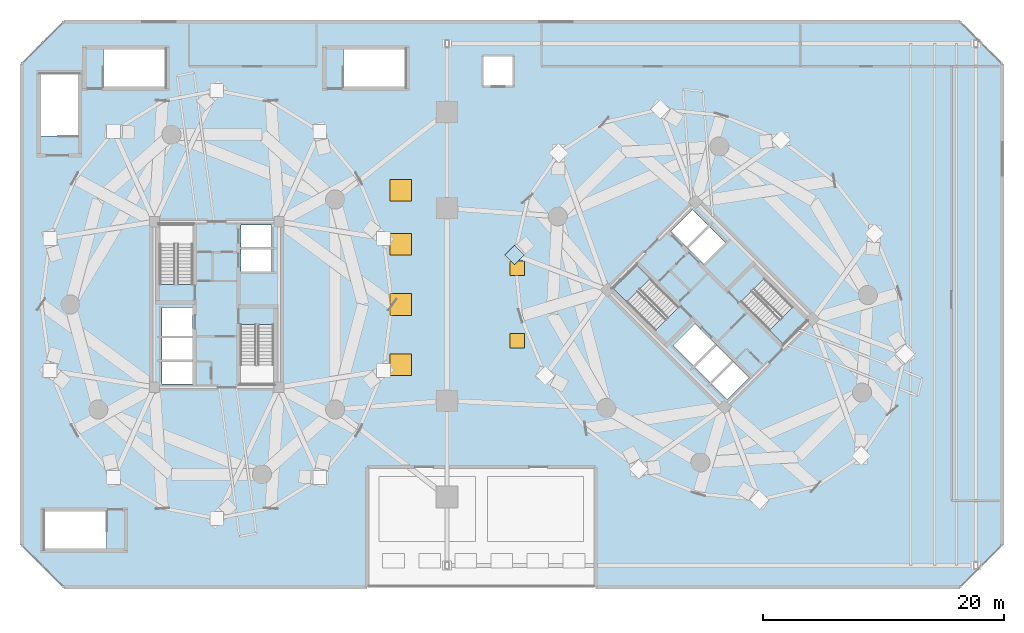
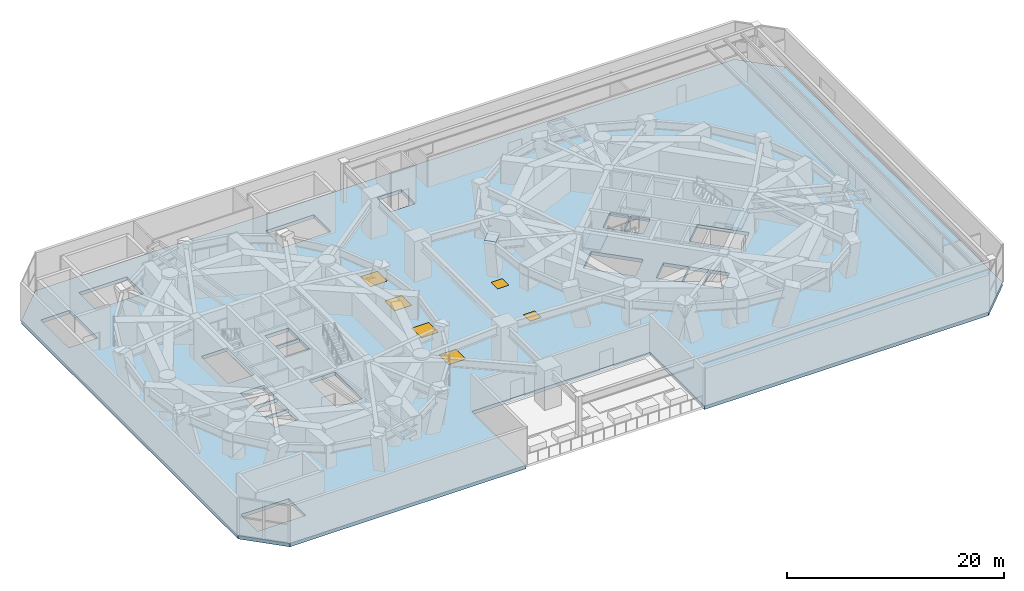
# One storey, part 14 of 25: 6 windows, 3 slabs, 1 plate, 6 openings, 2 elements without a shape of their own.
"""IFC4 building model written with IfcOpenShell, lengths in metres."""

from ifc_helpers import new_model, si_unit, direction, frame, origin, origin_2d, place, context, subcontext, project, spatial, polyline, rectangle, outline, extrude, source, transform, mapped, material, layer, layer_set, type_object, element, fill, aggregate, save


model = new_model("IFC4")

# Units and contexts
model_context = context("Model", 3, precision=1e-05, world=origin(), true_north=direction((0.0, 1.0)))
body_context = subcontext(model_context, "Body", "Model", "MODEL_VIEW")
ifc_project = project(units=[si_unit("LENGTHUNIT", "METRE"), si_unit("AREAUNIT", "SQUARE_METRE"), si_unit("VOLUMEUNIT", "CUBIC_METRE"), si_unit("PLANEANGLEUNIT", "RADIAN"), si_unit("MASSUNIT", "GRAM", prefix="KILO")], contexts=[model_context])

# Site, building, storey
site_placement = place(None, origin())
site = spatial("IfcSite", under=ifc_project, at=site_placement, CompositionType="ELEMENT")
building_placement = place(site_placement, origin())
building = spatial("IfcBuilding", under=site, at=building_placement, Name="Cununo Teusaquillo Station Towers", CompositionType="ELEMENT")
storey_placement = place(building_placement, frame((0.0, 0.0, 17.39990234375)))
storey = spatial("IfcBuildingStorey", under=building, at=storey_placement, Name="L04", CompositionType="ELEMENT", Elevation=17.39990234375)

# Slab, openings, windows
ifc_material_1 = material(Name="Concrete C60/75", Category="concrete")
ifc_layer_1 = layer(ifc_material_1, 0.385009765625)
ifc_layer_set_1 = layer_set([ifc_layer_1], Name="Concrete C60/75")
slab_type_1 = type_object("IfcSlabType", Name="SLB-POD-380", PredefinedType="FLOOR", material=ifc_layer_set_1)
slab_1_placement = place(storey_placement, frame((0.0, 0.0, -0.385009765625)))
slab_1 = element("IfcSlab", 1, at=slab_1_placement, inside=storey, type_object=slab_type_1, Name="L04 Podium Transfer Structural Slab", PredefinedType="FLOOR", context=body_context, shape_type="SweptSolid", body=[
    extrude(outline(polyline([(3.800048828125, 1.0), (0.300048828125, 4.5), (0.300048828125, 44.5), (3.800048828125, 48.0), (78.300048828125, 48.0), (81.800048828125, 44.5), (81.800048828125, 4.5), (78.300048828125, 1.0), (48.0, 1.0), (48.0, 11.0), (29.0, 11.0), (29.0, 1.0), (3.800048828125, 1.0)]), holes=[polyline([(14.52001953125, 26.176025390625), (14.52001953125, 31.159912109375), (11.760009765625, 31.159912109375), (11.760009765625, 26.176025390625), (14.52001953125, 26.176025390625)]), polyline([(18.47998046875, 22.823974609375), (18.47998046875, 17.840087890625), (21.239990234375, 17.840087890625), (21.239990234375, 22.823974609375), (18.47998046875, 22.823974609375)]), polyline([(54.914794921875, 24.28515625), (51.390625, 27.809326171875), (49.43896484375, 25.857666015625), (52.963134765625, 22.33349609375), (54.914794921875, 24.28515625)]), polyline([(60.085205078125, 24.71484375), (63.609375, 21.190673828125), (65.56103515625, 23.142333984375), (62.036865234375, 26.66650390625), (60.085205078125, 24.71484375)]), polyline([(27.055908203125, 42.60009765625), (32.199951171875, 42.60009765625), (32.199951171875, 45.699951171875), (27.055908203125, 45.699951171875), (27.055908203125, 42.60009765625)]), polyline([(7.343994140625, 7.300048828125), (2.199951171875, 7.300048828125), (2.199951171875, 4.199951171875), (7.343994140625, 4.199951171875), (7.343994140625, 7.300048828125)]), polyline([(4.97998046875, 38.506103515625), (4.97998046875, 43.64990234375), (1.8798828125, 43.64990234375), (1.8798828125, 38.506103515625), (4.97998046875, 38.506103515625)]), polyline([(7.10595703125, 42.60009765625), (12.25, 42.60009765625), (12.25, 45.699951171875), (7.10595703125, 45.699951171875), (7.10595703125, 42.60009765625)]), polyline([(11.949951171875, 21.85009765625), (14.47998046875, 21.85009765625), (14.47998046875, 24.25), (11.949951171875, 24.25), (11.949951171875, 21.85009765625)]), polyline([(11.949951171875, 17.89990234375), (14.47998046875, 17.89990234375), (14.47998046875, 19.75), (11.949951171875, 19.75), (11.949951171875, 17.89990234375)]), polyline([(11.949951171875, 19.89990234375), (14.47998046875, 19.89990234375), (14.47998046875, 21.75), (11.949951171875, 21.75), (11.949951171875, 19.89990234375)]), polyline([(18.52001953125, 27.25), (21.050048828125, 27.25), (21.050048828125, 29.10009765625), (18.52001953125, 29.10009765625), (18.52001953125, 27.25)]), polyline([(18.52001953125, 29.25), (21.050048828125, 29.25), (21.050048828125, 31.10009765625), (18.52001953125, 31.10009765625), (18.52001953125, 29.25)]), polyline([(56.156494140625, 19.40869140625), (57.945556640625, 21.19775390625), (56.248291015625, 22.89501953125), (54.45947265625, 21.10595703125), (56.156494140625, 19.40869140625)]), polyline([(58.94970703125, 16.61572265625), (60.738525390625, 18.40478515625), (59.430419921875, 19.712890625), (57.641357421875, 17.923828125), (58.94970703125, 16.61572265625)]), polyline([(57.535400390625, 18.030029296875), (59.32421875, 19.819091796875), (58.01611328125, 21.127197265625), (56.227294921875, 19.338134765625), (57.535400390625, 18.030029296875)]), polyline([(56.98388671875, 27.872802734375), (58.772705078125, 29.661865234375), (57.464599609375, 30.969970703125), (55.67578125, 29.180908203125), (56.98388671875, 27.872802734375)]), polyline([(55.569580078125, 29.287109375), (57.358642578125, 31.076171875), (56.05029296875, 32.38427734375), (54.261474609375, 30.59521484375), (55.569580078125, 29.287109375)]), polyline([(38.60009765625, 42.60009765625), (41.199951171875, 42.60009765625), (41.199951171875, 45.199951171875), (38.60009765625, 45.199951171875), (38.60009765625, 42.60009765625)])]), origin(), (0.0, 0.0, 1.0), 0.385009765625),
])
opening_1_placement = place(slab_1_placement, frame((31.800048828125, 19.5, 0.0)))
opening_1 = element("IfcOpeningElement", 2, at=opening_1_placement, cuts=slab_1, Name="Opening SK-02", PredefinedType="OPENING", context=body_context, shape_type="SweptSolid", body=[
    extrude(rectangle(XDim=1.800048828125, YDim=1.800048828125, at=origin_2d()), frame((0.0, 0.0, -0.010009765625)), (0.0, 0.0, 1.0), 0.405029296875),
])
opening_2_placement = place(slab_1_placement, frame((31.800048828125, 24.5, 0.0)))
opening_2 = element("IfcOpeningElement", 3, at=opening_2_placement, cuts=slab_1, Name="Opening SK-02", PredefinedType="OPENING", context=body_context, shape_type="SweptSolid", body=[
    extrude(rectangle(XDim=1.800048828125, YDim=1.800048828125, at=origin_2d()), frame((0.0, 0.0, -0.010009765625)), (0.0, 0.0, 1.0), 0.405029296875),
])
opening_3_placement = place(slab_1_placement, frame((31.800048828125, 29.5, 0.0)))
opening_3 = element("IfcOpeningElement", 4, at=opening_3_placement, cuts=slab_1, Name="Opening SK-02", PredefinedType="OPENING", context=body_context, shape_type="SweptSolid", body=[
    extrude(rectangle(XDim=1.800048828125, YDim=1.800048828125, at=origin_2d()), frame((0.0, 0.0, -0.010009765625)), (0.0, 0.0, 1.0), 0.405029296875),
])
opening_4_placement = place(slab_1_placement, frame((31.800048828125, 34.0, 0.0)))
opening_4 = element("IfcOpeningElement", 5, at=opening_4_placement, cuts=slab_1, Name="Opening SK-02", PredefinedType="OPENING", context=body_context, shape_type="SweptSolid", body=[
    extrude(rectangle(XDim=1.800048828125, YDim=1.800048828125, at=origin_2d()), frame((0.0, 0.0, -0.010009765625)), (0.0, 0.0, 1.0), 0.405029296875),
])
opening_5_placement = place(slab_1_placement, frame((41.5, 21.5, 0.0)))
opening_5 = element("IfcOpeningElement", 6, at=opening_5_placement, cuts=slab_1, Name="Opening SK-01", PredefinedType="OPENING", context=body_context, shape_type="SweptSolid", body=[
    extrude(rectangle(XDim=1.199951171875, YDim=1.199951171875, at=origin_2d()), frame((0.0, 0.0, -0.010009765625)), (0.0, 0.0, 1.0), 0.405029296875),
])
opening_6_placement = place(slab_1_placement, frame((41.5, 27.5, 0.0)))
opening_6 = element("IfcOpeningElement", 7, at=opening_6_placement, cuts=slab_1, Name="Opening SK-01", PredefinedType="OPENING", context=body_context, shape_type="SweptSolid", body=[
    extrude(rectangle(XDim=1.199951171875, YDim=1.199951171875, at=origin_2d()), frame((0.0, 0.0, -0.010009765625)), (0.0, 0.0, 1.0), 0.405029296875),
])
ifc_material_2 = material(Name="Laminated acoustic clear low-E glazing", Category="glass")
window_type_1 = type_object("IfcWindowType", Name="WIN-HATCH-1200", PartitioningType="SINGLE_PANEL", PredefinedType="SKYLIGHT", material=ifc_material_2)
window_1_placement = place(opening_5_placement, frame((0.0, 0.0, 0.3349609375)))
window_1 = element("IfcWindow", 8, at=window_1_placement, inside=storey, type_object=window_type_1, Name="L04 Podium Roof Access Skylight Hatch 1", OverallHeight=1.199951171875, OverallWidth=1.199951171875, PartitioningType="SINGLE_PANEL", PredefinedType="SKYLIGHT", context=body_context, shape_type="SweptSolid", body=[
    extrude(rectangle(XDim=1.199951171875, YDim=1.199951171875, at=origin_2d()), origin(), (0.0, 0.0, 1.0), 0.050048828125),
])
fill(opening_5, window_1)
window_2_placement = place(opening_6_placement, frame((0.0, 0.0, 0.3349609375)))
window_2 = element("IfcWindow", 9, at=window_2_placement, inside=storey, type_object=window_type_1, Name="L04 Podium Roof Access Skylight Hatch 2", OverallHeight=1.199951171875, OverallWidth=1.199951171875, PartitioningType="SINGLE_PANEL", PredefinedType="SKYLIGHT", context=body_context, shape_type="SweptSolid", body=[
    extrude(rectangle(XDim=1.199951171875, YDim=1.199951171875, at=origin_2d()), origin(), (0.0, 0.0, 1.0), 0.050048828125),
])
fill(opening_6, window_2)
ifc_material_3 = material(Name="Laminated acoustic clear low-E glazing", Category="glass")
window_type_2 = type_object("IfcWindowType", Name="WIN-SKYL-1800", PartitioningType="SINGLE_PANEL", PredefinedType="SKYLIGHT", material=ifc_material_3)
window_3_placement = place(opening_1_placement, frame((0.0, 0.0, 0.3349609375)))
window_3 = element("IfcWindow", 10, at=window_3_placement, inside=storey, type_object=window_type_2, Name="L04 Concourse Daylight Skylight 1", OverallHeight=1.800048828125, OverallWidth=1.800048828125, PartitioningType="SINGLE_PANEL", PredefinedType="SKYLIGHT", context=body_context, shape_type="SweptSolid", body=[
    extrude(rectangle(XDim=1.800048828125, YDim=1.800048828125, at=origin_2d()), origin(), (0.0, 0.0, 1.0), 0.050048828125),
])
fill(opening_1, window_3)
window_4_placement = place(opening_2_placement, frame((0.0, 0.0, 0.3349609375)))
window_4 = element("IfcWindow", 11, at=window_4_placement, inside=storey, type_object=window_type_2, Name="L04 Concourse Daylight Skylight 2", OverallHeight=1.800048828125, OverallWidth=1.800048828125, PartitioningType="SINGLE_PANEL", PredefinedType="SKYLIGHT", context=body_context, shape_type="SweptSolid", body=[
    extrude(rectangle(XDim=1.800048828125, YDim=1.800048828125, at=origin_2d()), origin(), (0.0, 0.0, 1.0), 0.050048828125),
])
fill(opening_2, window_4)
window_5_placement = place(opening_3_placement, frame((0.0, 0.0, 0.3349609375)))
window_5 = element("IfcWindow", 12, at=window_5_placement, inside=storey, type_object=window_type_2, Name="L04 Concourse Daylight Skylight 3", OverallHeight=1.800048828125, OverallWidth=1.800048828125, PartitioningType="SINGLE_PANEL", PredefinedType="SKYLIGHT", context=body_context, shape_type="SweptSolid", body=[
    extrude(rectangle(XDim=1.800048828125, YDim=1.800048828125, at=origin_2d()), origin(), (0.0, 0.0, 1.0), 0.050048828125),
])
fill(opening_3, window_5)
window_6_placement = place(opening_4_placement, frame((0.0, 0.0, 0.3349609375)))
window_6 = element("IfcWindow", 13, at=window_6_placement, inside=storey, type_object=window_type_2, Name="L04 Concourse Daylight Skylight 4", OverallHeight=1.800048828125, OverallWidth=1.800048828125, PartitioningType="SINGLE_PANEL", PredefinedType="SKYLIGHT", context=body_context, shape_type="SweptSolid", body=[
    extrude(rectangle(XDim=1.800048828125, YDim=1.800048828125, at=origin_2d()), origin(), (0.0, 0.0, 1.0), 0.050048828125),
])
fill(opening_4, window_6)

# Stair, slab
ifc_material_4 = material(Name="Concrete C50/60", Category="concrete")
stair_type = type_object("IfcStairType", Name="ST-TWR-1300", PredefinedType="HALF_TURN_STAIR", material=ifc_material_4)
stair_1_placement = place(storey_placement, origin())
stair_1 = element("IfcStair", 14, at=stair_1_placement, inside=storey, type_object=stair_type, Name="L04 Tower B Protected Core Exit Stair 1", PredefinedType="HALF_TURN_STAIR")
ifc_material_5 = material(Name="Concrete C50/60", Category="concrete")
ifc_layer_2 = layer(ifc_material_5, 0.199951171875)
ifc_layer_set_2 = layer_set([ifc_layer_2], Name="Concrete C50/60")
slab_type_2 = type_object("IfcSlabType", Name="SLB-STAIR-LND", PredefinedType="LANDING", material=ifc_layer_set_2)
slab_2_placement = place(storey_placement, frame((0.0, 0.0, 2.10009765625)))
slab_2 = element("IfcSlab", 15, at=slab_2_placement, type_object=slab_type_2, Name="ST-T2-1 landing 1", PredefinedType="LANDING", context=body_context, shape_type="SweptSolid", body=[
    extrude(outline(polyline([(52.543212890625, 26.65673828125), (51.390625, 27.809326171875), (49.43896484375, 25.857666015625), (50.591552734375, 24.705078125), (52.543212890625, 26.65673828125)])), origin(), (0.0, 0.0, 1.0), 0.199951171875),
])
aggregate(stair_1, [slab_2])

stair_2_placement = place(storey_placement, origin())
stair_2 = element("IfcStair", 16, at=stair_2_placement, inside=storey, type_object=stair_type, Name="L04 Tower B Protected Core Exit Stair 2", PredefinedType="HALF_TURN_STAIR")
slab_3_placement = place(storey_placement, frame((0.0, 0.0, 2.10009765625)))
slab_3 = element("IfcSlab", 17, at=slab_3_placement, type_object=slab_type_2, Name="ST-T2-2 landing 1", PredefinedType="LANDING", context=body_context, shape_type="SweptSolid", body=[
    extrude(outline(polyline([(62.456787109375, 22.34326171875), (63.609375, 21.190673828125), (65.56103515625, 23.142333984375), (64.408447265625, 24.294921875), (62.456787109375, 22.34326171875)])), origin(), (0.0, 0.0, 1.0), 0.199951171875),
])
aggregate(stair_2, [slab_3])

# Plate
ifc_material_6 = material(Name="Steel ASTM A572 Grade 50", Category="steel")
ifc_layer_3 = layer(ifc_material_6, 0.06005859375)
ifc_layer_set_3 = layer_set([ifc_layer_3], Name="Steel ASTM A572 Grade 50")
plate_type = type_object("IfcPlateType", Name="PLT-NODE-BDN1", PredefinedType="USERDEFINED", material=ifc_layer_set_3)
shared_shape = source(origin(), body_context, "Body", "SweptSolid", [
    extrude(rectangle(XDim=1.14990234375, YDim=1.14990234375, at=origin_2d()), origin(), (0.0, 0.0, 1.0), 0.06005859375),
])
plate_placement = place(storey_placement, frame((41.266845703125, 28.620849609375, 4.5400390625), z_axis=(0.0, 0.0, 1.0), x_axis=(0.707106781187, 0.707106781187, 0.0)))
element("IfcPlate", 18, at=plate_placement, inside=storey, type_object=plate_type, Name="L04 Tower B V-Foot Pier Head Plate V06R", ObjectType="BASE PLATE", PredefinedType="USERDEFINED", context=body_context, shape_type="MappedRepresentation", body=[
    mapped(shared_shape, transform((0.0, 0.0, 0.0), x_axis=(1.0, 0.0, 0.0), y_axis=(0.0, 1.0, 0.0), z_axis=(0.0, 0.0, 1.0), scale=1.0)),
])

save(model, "model.ifc")
